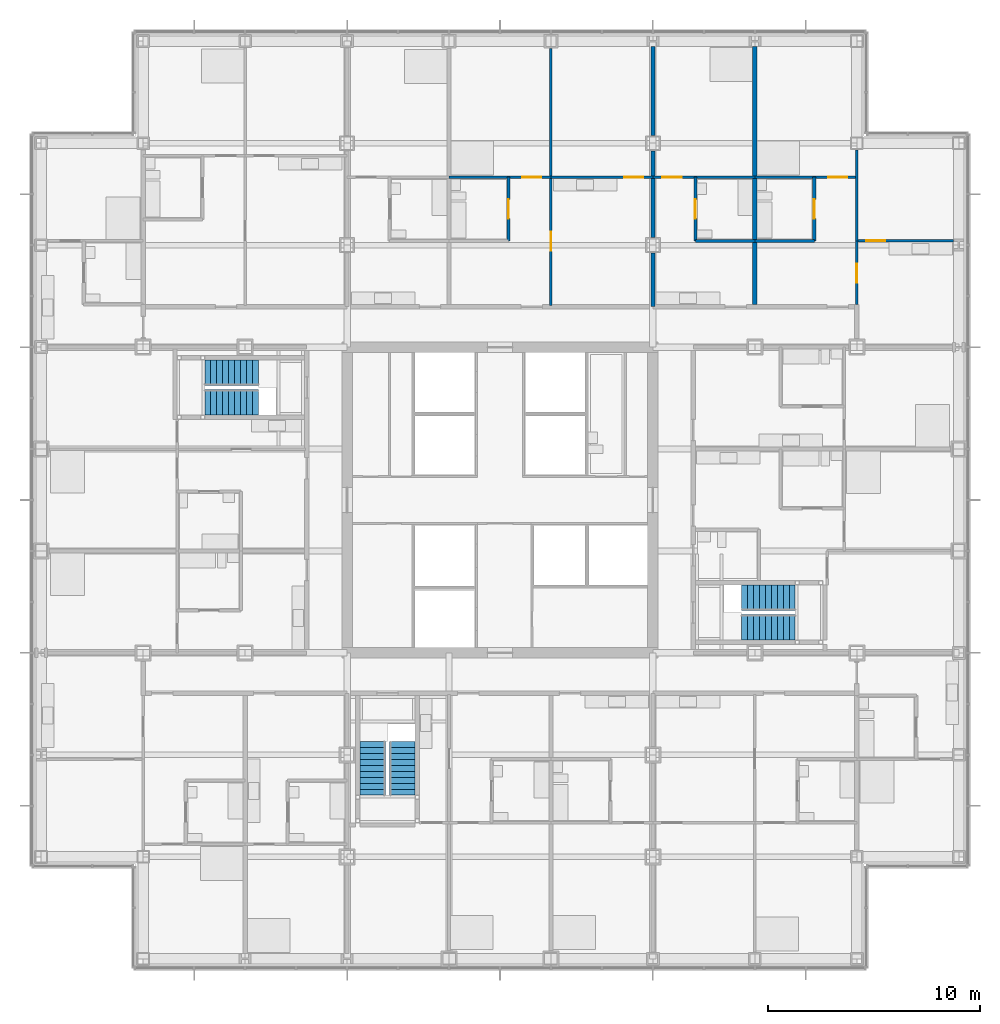
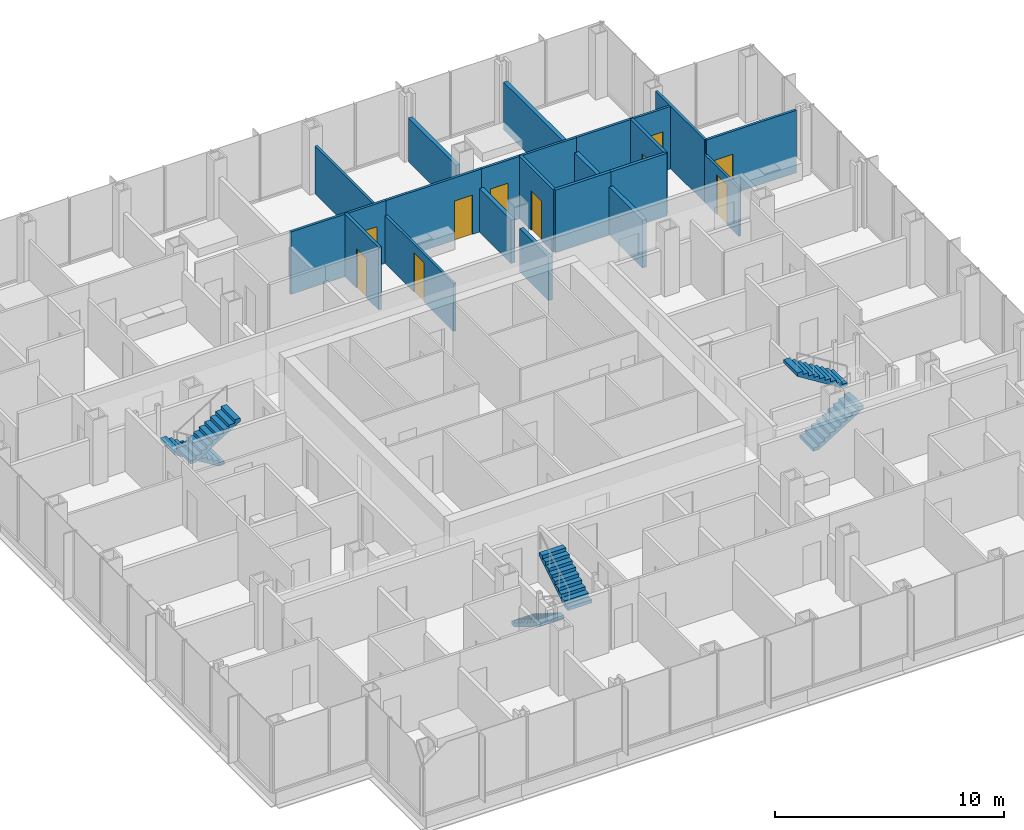
# One storey, part 18 of 21: 18 walls, 10 doors, 6 stair flights, 10 openings, 3 elements without a shape of their own.
"""IFC4 building model written with IfcOpenShell, lengths in metres."""

import ifcopenshell
import ifcopenshell.guid

model = None  # the IFC model being written
_history = None  # IfcOwnerHistory: only IFC2X3 demands one
_inside = {}  # id of a spatial element -> (the spatial element, [elements in it])
_under = {}  # id of a project, library or spatial element -> (it, [spatial elements below it])
_declared = {}  # id of a project -> (the project, [libraries it declares])
_typed = {}  # id of a type object -> (the type object, [elements of that type])
_made_of = {}  # id of a material, layer set ... -> (it, [elements and type objects made of it])


def new_model(schema):
    """Start an empty IFC model of exactly this schema.

    Asked for "IFC4X3", IfcOpenShell would pick the latest addendum, in which some entities
    have other attributes; the version numbers below select the first issue.
    IFC2X3 requires an IfcOwnerHistory on every rooted entity: one is made here for all.
    """
    global model, _history
    if schema == "IFC4X3":
        model = ifcopenshell.file(schema_version=(4, 3, 0, 0))
    else:
        model = ifcopenshell.file(schema=schema)
    _inside.clear()
    _under.clear()
    _declared.clear()
    _typed.clear()
    _made_of.clear()
    _history = None
    if model.schema == "IFC2X3":
        org = make("IfcOrganization", Name="unknown")
        user = make(
            "IfcPersonAndOrganization",
            ThePerson=make("IfcPerson", FamilyName="unknown"),
            TheOrganization=org,
        )
        app = make(
            "IfcApplication",
            ApplicationDeveloper=org,
            Version="unknown",
            ApplicationFullName="unknown",
            ApplicationIdentifier="unknown",
        )
        _history = make(
            "IfcOwnerHistory",
            OwningUser=user,
            OwningApplication=app,
            ChangeAction="ADDED",
            CreationDate=0,
        )
    return model


def make(cls, **values):
    """One entity of the class cls with the attributes given. An attribute that is None is left unset."""
    return model.create_entity(
        cls, **{name: value for name, value in values.items() if value is not None}
    )


def rooted(cls, **values):
    """An entity with a GlobalId (a new one), such as an element, a storey or a relation."""
    return make(cls, GlobalId=ifcopenshell.guid.new(), OwnerHistory=_history, **values)


def si_unit(unit_type, name, prefix=None):
    """IfcSIUnit, for example si_unit("LENGTHUNIT", "METRE", prefix="MILLI")."""
    return make("IfcSIUnit", UnitType=unit_type, Prefix=prefix, Name=name)


def assignment(units):
    """IfcUnitAssignment: the units of a project."""
    return None if units is None else make("IfcUnitAssignment", Units=units)


def point(xyz):
    """IfcCartesianPoint."""
    return None if xyz is None else make("IfcCartesianPoint", Coordinates=xyz)


def direction(xyz):
    """IfcDirection."""
    return None if xyz is None else make("IfcDirection", DirectionRatios=xyz)


def frame(location, z_axis=None, x_axis=None):
    """IfcAxis2Placement3D, a coordinate frame: its origin and axes. An axis left out is left unset."""
    return make(
        "IfcAxis2Placement3D",
        Location=point(location),
        Axis=direction(z_axis),
        RefDirection=direction(x_axis),
    )


def frame_2d(location, x_axis=None):
    """IfcAxis2Placement2D, a coordinate frame in the plane: its origin and x axis."""
    return make(
        "IfcAxis2Placement2D", Location=point(location), RefDirection=direction(x_axis)
    )


def origin():
    """The frame at (0, 0, 0) with its axes left unset."""
    return frame((0.0, 0.0, 0.0))


def place(relative_to, where):
    """IfcLocalPlacement: puts the frame where relative to a parent placement (None: the world)."""
    return make(
        "IfcLocalPlacement", PlacementRelTo=relative_to, RelativePlacement=where
    )


def context(
    kind, dimensions, precision=None, world=None, true_north=None, identifier=None
):
    """IfcGeometricRepresentationContext, for example the 3D "Model" context."""
    return make(
        "IfcGeometricRepresentationContext",
        ContextIdentifier=identifier,
        ContextType=kind,
        CoordinateSpaceDimension=dimensions,
        Precision=precision,
        WorldCoordinateSystem=world,
        TrueNorth=true_north,
    )


def subcontext(parent, identifier, kind, view, scale=None):
    """IfcGeometricRepresentationSubContext, for example "Body" below "Model"."""
    return make(
        "IfcGeometricRepresentationSubContext",
        ContextIdentifier=identifier,
        ContextType=kind,
        ParentContext=parent,
        TargetScale=scale,
        TargetView=view,
    )


def project(units=None, contexts=None):
    """IfcProject with its units and contexts."""
    return rooted(
        "IfcProject",
        Name="project",
        RepresentationContexts=contexts,
        UnitsInContext=assignment(units),
    )


def spatial(cls, under=None, at=None, **own):
    """A site, building, storey or space (cls), placed at a placement, below another one or the project."""
    s = rooted(cls, ObjectPlacement=at, **own)
    if under is not None:
        _under.setdefault(under.id(), (under, []))[1].append(s)
    return s


def polyline(points):
    """IfcPolyline through the points."""
    return make("IfcPolyline", Points=[point(p) for p in points])


def profile(cls, at=None, kind="AREA", **sizes):
    """A parametric profile (cls). Its sizes go by their IFC names, for example OverallWidth=200.0."""
    return make(cls, ProfileType=kind, Position=at, **sizes)


def rectangle(**sizes):
    """IfcRectangleProfileDef."""
    return profile("IfcRectangleProfileDef", **sizes)


def outline(outer, holes=None, kind="AREA"):
    """IfcArbitraryClosedProfileDef: a profile drawn as a closed curve; with holes, ...WithVoids."""
    if holes is None:
        return make("IfcArbitraryClosedProfileDef", ProfileType=kind, OuterCurve=outer)
    return make(
        "IfcArbitraryProfileDefWithVoids",
        ProfileType=kind,
        OuterCurve=outer,
        InnerCurves=holes,
    )


def extrude(swept, where, along, depth):
    """IfcExtrudedAreaSolid: the profile swept, set in the frame where, extruded along a direction by depth."""
    return make(
        "IfcExtrudedAreaSolid",
        SweptArea=swept,
        Position=where,
        ExtrudedDirection=direction(along),
        Depth=depth,
    )


def shape(context_of_items, identifier, shape_type, items):
    """IfcShapeRepresentation: the items that make up one representation, for example the "Body"."""
    return make(
        "IfcShapeRepresentation",
        ContextOfItems=context_of_items,
        RepresentationIdentifier=identifier,
        RepresentationType=shape_type,
        Items=items,
    )


def material(Name=None, Category=None):
    """IfcMaterial."""
    return make("IfcMaterial", Name=Name, Category=Category)


def layer(
    of_material, thickness, ventilated=None, Name=None, Category=None, Priority=None
):
    """IfcMaterialLayer: one layer of a wall or slab, of a material (None: an air gap)."""
    return make(
        "IfcMaterialLayer",
        Material=of_material,
        LayerThickness=thickness,
        IsVentilated=ventilated,
        Name=Name,
        Category=Category,
        Priority=Priority,
    )


def layer_set(layers, Name=None):
    """IfcMaterialLayerSet."""
    return make("IfcMaterialLayerSet", MaterialLayers=layers, LayerSetName=Name)


def made_of(thing, what):
    """Note that an element or type object is made of a material, layer set ...; save() writes the relation."""
    if what is not None:
        _made_of.setdefault(what.id(), (what, []))[1].append(thing)
    return thing


def type_object(cls, material=None, **own):
    """A type object (cls), such as IfcWallType, which elements share."""
    return made_of(rooted(cls, **own), material)


def element(
    cls,
    number,
    at=None,
    inside=None,
    cuts=None,
    type_object=None,
    material=None,
    context=None,
    identifier="Body",
    shape_type=None,
    held_by="IfcProductDefinitionShape",
    body=None,
    shapes=None,
    **own,
):
    """One element of the class cls, such as IfcWall. Its Tag is "e" and its number.

    at: its placement. inside: the storey or other place that contains it. cuts: it is an
    opening in that element (IfcRelVoidsElement). A single representation is given by context,
    identifier, shape_type and body (its items); several are given by shapes. held_by: the class
    of the entity that holds the representations. save() writes the other relations.
    """
    e = rooted(cls, Tag="e%d" % number, ObjectPlacement=at, **own)
    if body is not None:
        shapes = [shape(context, identifier, shape_type, body)]
    if shapes is not None:
        e.Representation = make(held_by, Representations=shapes)
    if inside is not None:
        _inside.setdefault(inside.id(), (inside, []))[1].append(e)
    if cuts is not None:
        rooted(
            "IfcRelVoidsElement", RelatingBuildingElement=cuts, RelatedOpeningElement=e
        )
    if type_object is not None:
        _typed.setdefault(type_object.id(), (type_object, []))[1].append(e)
    return made_of(e, material)


def fill(opening, filler):
    """IfcRelFillsElement: the door or window that sits in an opening."""
    return rooted(
        "IfcRelFillsElement",
        RelatingOpeningElement=opening,
        RelatedBuildingElement=filler,
    )


def aggregate(whole, parts):
    """IfcRelAggregates: a whole, such as a stair, and the parts it consists of."""
    return rooted("IfcRelAggregates", RelatingObject=whole, RelatedObjects=parts)


def save(model, path):
    """Write the relations noted so far, then the file.

    IfcRelAggregates (storeys below a building ...), IfcRelContainedInSpatialStructure (elements
    in a storey), IfcRelDefinesByType, IfcRelAssociatesMaterial and IfcRelDeclares: one each for
    every whole, place, type object, material and project.
    """
    for whole, parts in _under.values():
        aggregate(whole, parts)
    for where, things in _inside.values():
        rooted(
            "IfcRelContainedInSpatialStructure",
            RelatedElements=things,
            RelatingStructure=where,
        )
    for kind, things in _typed.values():
        rooted("IfcRelDefinesByType", RelatedObjects=things, RelatingType=kind)
    for what, things in _made_of.values():
        rooted("IfcRelAssociatesMaterial", RelatedObjects=things, RelatingMaterial=what)
    for by, libraries in _declared.values():
        rooted("IfcRelDeclares", RelatingContext=by, RelatedDefinitions=libraries)
    model.write(path)


model = new_model("IFC4")

# Units and contexts
model_context = context("Model", 3, precision=1e-05, world=origin(), true_north=direction((0.0, 1.0)))
body_context = subcontext(model_context, "Body", "Model", "MODEL_VIEW")
ifc_project = project(units=[si_unit("LENGTHUNIT", "METRE"), si_unit("AREAUNIT", "SQUARE_METRE"), si_unit("VOLUMEUNIT", "CUBIC_METRE"), si_unit("PLANEANGLEUNIT", "RADIAN"), si_unit("MASSUNIT", "GRAM", prefix="KILO")], contexts=[model_context])

# Site, building, storey
site_placement = place(None, origin())
site = spatial("IfcSite", under=ifc_project, at=site_placement, CompositionType="ELEMENT")
building_placement = place(site_placement, origin())
building = spatial("IfcBuilding", under=site, at=building_placement, Name="Kvirike Care Tower", CompositionType="ELEMENT")
storey_placement = place(building_placement, frame((0.0, 0.0, 27.0)))
storey = spatial("IfcBuildingStorey", under=building, at=storey_placement, Name="L06", CompositionType="ELEMENT", Elevation=27.0)

# Wall, opening, door
ifc_material_1 = material(Name="Moisture-resistant board partition", Category="gypsum")
ifc_layer_1 = layer(ifc_material_1, 0.14990234375)
ifc_layer_set_1 = layer_set([ifc_layer_1], Name="BATHROOM WALL 150")
wall_type_1 = type_object("IfcWallType", Name="BATHROOM WALL 150", PredefinedType="PARTITIONING", material=ifc_layer_set_1)
wall_1_placement = place(storey_placement, frame((22.0, 51.199951171875, 0.0), z_axis=(0.0, 0.0, 1.0), x_axis=(0.0, -1.0, 0.0)))
wall_1 = element("IfcWall", 1, at=wall_1_placement, inside=storey, type_object=wall_type_1, Name="Bathroom Wall 150 L06", PredefinedType="PARTITIONING", context=body_context, shape_type="SweptSolid", body=[
    extrude(rectangle(XDim=3.0, YDim=0.14990234375, at=frame_2d((1.5, 0.0))), origin(), (0.0, 0.0, 1.0), 3.330078125),
])
opening_1_placement = place(wall_1_placement, frame((1.050048828125, 0.0, 0.0)))
opening_1 = element("IfcOpeningElement", 2, at=opening_1_placement, cuts=wall_1, Name="Opening 06-035", PredefinedType="OPENING", context=body_context, shape_type="SweptSolid", body=[
    extrude(rectangle(XDim=0.89990234375, YDim=2.10009765625, at=frame_2d((0.449951171875, 1.050048828125))), frame((0.0, 0.08544921875, 0.0), z_axis=(0.0, -1.0, 0.0), x_axis=(1.0, 0.0, 0.0)), (0.0, 0.0, 1.0), 0.1708984375),
])
ifc_material_2 = material(Name="Timber door set", Category="wood")
door_type_1 = type_object("IfcDoorType", Name="BATHROOM DOOR 900", OperationType="SINGLE_SWING_RIGHT", PredefinedType="DOOR", material=ifc_material_2)
door_1_placement = place(opening_1_placement, frame((0.89990234375, 0.0, 0.0), z_axis=(0.0, 0.0, 1.0), x_axis=(-1.0, 0.0, 0.0)))
door_1 = element("IfcDoor", 3, at=door_1_placement, inside=storey, type_object=door_type_1, Name="Bathroom door", OperationType="SINGLE_SWING_RIGHT", OverallHeight=2.10009765625, OverallWidth=0.89990234375, PredefinedType="DOOR", context=body_context, shape_type="SweptSolid", body=[
    extrude(rectangle(XDim=0.89990234375, YDim=2.10009765625, at=frame_2d((0.449951171875, 1.050048828125))), frame((0.0, 0.02197265625, 0.0), z_axis=(0.0, -1.0, 0.0), x_axis=(1.0, 0.0, 0.0)), (0.0, 0.0, 1.0), 0.0439453125),
])
fill(opening_1, door_1)

wall_2_placement = place(storey_placement, frame((36.39990234375, 51.199951171875, 0.0), z_axis=(0.0, 0.0, 1.0), x_axis=(0.0, -1.0, 0.0)))
wall_2 = element("IfcWall", 4, at=wall_2_placement, inside=storey, type_object=wall_type_1, Name="Bathroom Wall 150 L06", PredefinedType="PARTITIONING", context=body_context, shape_type="SweptSolid", body=[
    extrude(rectangle(XDim=3.0, YDim=0.14990234375, at=frame_2d((1.5, 0.0))), origin(), (0.0, 0.0, 1.0), 3.330078125),
])
opening_2_placement = place(wall_2_placement, frame((1.050048828125, 0.0, 0.0)))
opening_2 = element("IfcOpeningElement", 5, at=opening_2_placement, cuts=wall_2, Name="Opening 06-060", PredefinedType="OPENING", context=body_context, shape_type="SweptSolid", body=[
    extrude(rectangle(XDim=0.89990234375, YDim=2.10009765625, at=frame_2d((0.449951171875, 1.050048828125))), frame((0.0, 0.08544921875, 0.0), z_axis=(0.0, -1.0, 0.0), x_axis=(1.0, 0.0, 0.0)), (0.0, 0.0, 1.0), 0.1708984375),
])
door_2_placement = place(opening_2_placement, frame((0.89990234375, 0.0, 0.0), z_axis=(0.0, 0.0, 1.0), x_axis=(-1.0, 0.0, 0.0)))
door_2 = element("IfcDoor", 6, at=door_2_placement, inside=storey, type_object=door_type_1, Name="Bathroom door", OperationType="SINGLE_SWING_RIGHT", OverallHeight=2.10009765625, OverallWidth=0.89990234375, PredefinedType="DOOR", context=body_context, shape_type="SweptSolid", body=[
    extrude(rectangle(XDim=0.89990234375, YDim=2.10009765625, at=frame_2d((0.449951171875, 1.050048828125))), frame((0.0, 0.02197265625, 0.0), z_axis=(0.0, -1.0, 0.0), x_axis=(1.0, 0.0, 0.0)), (0.0, 0.0, 1.0), 0.0439453125),
])
fill(opening_2, door_2)

# Wall
wall_3_placement = place(storey_placement, frame((36.39990234375, 48.199951171875, 0.0), z_axis=(0.0, 0.0, 1.0), x_axis=(-1.0, 0.0, 0.0)))
element("IfcWall", 7, at=wall_3_placement, inside=storey, type_object=wall_type_1, Name="Bathroom Wall 150 L06", PredefinedType="PARTITIONING", context=body_context, shape_type="SweptSolid", body=[
    extrude(rectangle(XDim=2.7998046875, YDim=0.14990234375, at=frame_2d((1.39990234375, 0.0))), origin(), (0.0, 0.0, 1.0), 3.330078125),
])

# Wall, opening, door
wall_4_placement = place(storey_placement, frame((30.800048828125, 51.199951171875, 0.0), z_axis=(0.0, 0.0, 1.0), x_axis=(0.0, -1.0, 0.0)))
wall_4 = element("IfcWall", 8, at=wall_4_placement, inside=storey, type_object=wall_type_1, Name="Bathroom Wall 150 L06", PredefinedType="PARTITIONING", context=body_context, shape_type="SweptSolid", body=[
    extrude(rectangle(XDim=3.0, YDim=0.14990234375, at=frame_2d((1.5, 0.0))), origin(), (0.0, 0.0, 1.0), 3.330078125),
])
opening_3_placement = place(wall_4_placement, frame((1.050048828125, 0.0, 0.0)))
opening_3 = element("IfcOpeningElement", 9, at=opening_3_placement, cuts=wall_4, Name="Opening 06-064", PredefinedType="OPENING", context=body_context, shape_type="SweptSolid", body=[
    extrude(rectangle(XDim=0.89990234375, YDim=2.10009765625, at=frame_2d((0.449951171875, 1.050048828125))), frame((0.0, 0.08544921875, 0.0), z_axis=(0.0, -1.0, 0.0), x_axis=(1.0, 0.0, 0.0)), (0.0, 0.0, 1.0), 0.1708984375),
])
door_3_placement = place(opening_3_placement, origin())
door_3 = element("IfcDoor", 10, at=door_3_placement, inside=storey, type_object=door_type_1, Name="Bathroom door", OperationType="SINGLE_SWING_LEFT", OverallHeight=2.10009765625, OverallWidth=0.89990234375, PredefinedType="DOOR", context=body_context, shape_type="SweptSolid", body=[
    extrude(rectangle(XDim=0.89990234375, YDim=2.10009765625, at=frame_2d((0.449951171875, 1.050048828125))), frame((0.0, 0.02197265625, 0.0), z_axis=(0.0, -1.0, 0.0), x_axis=(1.0, 0.0, 0.0)), (0.0, 0.0, 1.0), 0.0439453125),
])
fill(opening_3, door_3)

# Wall
wall_5_placement = place(storey_placement, frame((33.60009765625, 48.199951171875, 0.0), z_axis=(0.0, 0.0, 1.0), x_axis=(-1.0, 0.0, 0.0)))
element("IfcWall", 11, at=wall_5_placement, inside=storey, type_object=wall_type_1, Name="Bathroom Wall 150 L06", PredefinedType="PARTITIONING", context=body_context, shape_type="SweptSolid", body=[
    extrude(rectangle(XDim=2.800048828125, YDim=0.14990234375, at=frame_2d((1.39990234375, 0.0))), origin(), (0.0, 0.0, 1.0), 3.330078125),
])

# Wall, opening, door
ifc_material_3 = material(Name="Plasterboard partition", Category="gypsum")
ifc_layer_2 = layer(ifc_material_3, 0.1201171875)
ifc_layer_set_2 = layer_set([ifc_layer_2], Name="PARTITION 120")
wall_type_2 = type_object("IfcWallType", Name="PARTITION 120", PredefinedType="PARTITIONING", material=ifc_layer_set_2)
wall_6_placement = place(storey_placement, frame((24.0, 51.199951171875, 0.0), z_axis=(0.0, 0.0, 1.0), x_axis=(0.0, -1.0, 0.0)))
wall_6 = element("IfcWall", 12, at=wall_6_placement, inside=storey, type_object=wall_type_2, Name="Partition 120 L06", PredefinedType="PARTITIONING", context=body_context, shape_type="SweptSolid", body=[
    extrude(rectangle(XDim=6.050048828125, YDim=0.1201171875, at=frame_2d((3.02490234375, 0.0))), origin(), (0.0, 0.0, 1.0), 2.550048828125),
])
opening_4_placement = place(wall_6_placement, frame((2.574951171875, 0.0, 0.0)))
opening_4 = element("IfcOpeningElement", 13, at=opening_4_placement, cuts=wall_6, Name="Opening 06-036", PredefinedType="OPENING", context=body_context, shape_type="SweptSolid", body=[
    extrude(rectangle(XDim=0.89990234375, YDim=2.10009765625, at=frame_2d((0.449951171875, 1.050048828125))), frame((0.0, 0.070556640625, 0.0), z_axis=(0.0, -1.0, 0.0), x_axis=(1.0, 0.0, 0.0)), (0.0, 0.0, 1.0), 0.14111328125),
])
ifc_material_4 = material(Name="Timber door set", Category="wood")
door_type_2 = type_object("IfcDoorType", Name="INTERNAL DOOR 900", OperationType="SINGLE_SWING_LEFT", PredefinedType="DOOR", material=ifc_material_4)
door_4_placement = place(opening_4_placement, frame((0.89990234375, 0.0, 0.0), z_axis=(0.0, 0.0, 1.0), x_axis=(-1.0, 0.0, 0.0)))
door_4 = element("IfcDoor", 14, at=door_4_placement, inside=storey, type_object=door_type_2, Name="Hall door", OperationType="SINGLE_SWING_LEFT", OverallHeight=2.10009765625, OverallWidth=0.89990234375, PredefinedType="DOOR", context=body_context, shape_type="SweptSolid", body=[
    extrude(rectangle(XDim=0.89990234375, YDim=2.10009765625, at=frame_2d((0.449951171875, 1.050048828125))), frame((0.0, 0.02197265625, 0.0), z_axis=(0.0, -1.0, 0.0), x_axis=(1.0, 0.0, 0.0)), (0.0, 0.0, 1.0), 0.0439453125),
])
fill(opening_4, door_4)

wall_7_placement = place(storey_placement, frame((28.800048828125, 51.199951171875, 0.0), z_axis=(0.0, 0.0, 1.0), x_axis=(-1.0, 0.0, 0.0)))
wall_7 = element("IfcWall", 15, at=wall_7_placement, inside=storey, type_object=wall_type_2, Name="Partition 120 L06", PredefinedType="PARTITIONING", context=body_context, shape_type="SweptSolid", body=[
    extrude(rectangle(XDim=4.800048828125, YDim=0.1201171875, at=frame_2d((2.39990234375, 0.0))), origin(), (0.0, 0.0, 1.0), 3.330078125),
])
opening_5_placement = place(wall_7_placement, frame((0.449951171875, 0.0, 0.0)))
opening_5 = element("IfcOpeningElement", 16, at=opening_5_placement, cuts=wall_7, Name="Opening 06-037", PredefinedType="OPENING", context=body_context, shape_type="SweptSolid", body=[
    extrude(rectangle(XDim=0.89990234375, YDim=2.10009765625, at=frame_2d((0.449951171875, 1.050048828125))), frame((0.0, 0.070556640625, 0.0), z_axis=(0.0, -1.0, 0.0), x_axis=(1.0, 0.0, 0.0)), (0.0, 0.0, 1.0), 0.14111328125),
])
door_5_placement = place(opening_5_placement, origin())
door_5 = element("IfcDoor", 17, at=door_5_placement, inside=storey, type_object=door_type_2, Name="Apartment living room door", OperationType="SINGLE_SWING_RIGHT", OverallHeight=2.10009765625, OverallWidth=0.89990234375, PredefinedType="DOOR", context=body_context, shape_type="SweptSolid", body=[
    extrude(rectangle(XDim=0.89990234375, YDim=2.10009765625, at=frame_2d((0.449951171875, 1.050048828125))), frame((0.0, 0.02197265625, 0.0), z_axis=(0.0, -1.0, 0.0), x_axis=(1.0, 0.0, 0.0)), (0.0, 0.0, 1.0), 0.0439453125),
])
fill(opening_5, door_5)

wall_8_placement = place(storey_placement, frame((24.0, 51.199951171875, 0.0), z_axis=(0.0, 0.0, 1.0), x_axis=(-1.0, 0.0, 0.0)))
wall_8 = element("IfcWall", 18, at=wall_8_placement, inside=storey, type_object=wall_type_2, Name="Partition 120 L06", PredefinedType="PARTITIONING", context=body_context, shape_type="SweptSolid", body=[
    extrude(rectangle(XDim=4.800048828125, YDim=0.1201171875, at=frame_2d((2.39990234375, 0.0))), origin(), (0.0, 0.0, 1.0), 3.330078125),
])
opening_6_placement = place(wall_8_placement, frame((0.449951171875, 0.0, 0.0)))
opening_6 = element("IfcOpeningElement", 19, at=opening_6_placement, cuts=wall_8, Name="Opening 06-038", PredefinedType="OPENING", context=body_context, shape_type="SweptSolid", body=[
    extrude(rectangle(XDim=0.89990234375, YDim=2.10009765625, at=frame_2d((0.449951171875, 1.050048828125))), frame((0.0, 0.070556640625, 0.0), z_axis=(0.0, -1.0, 0.0), x_axis=(1.0, 0.0, 0.0)), (0.0, 0.0, 1.0), 0.14111328125),
])
door_6_placement = place(opening_6_placement, origin())
door_6 = element("IfcDoor", 20, at=door_6_placement, inside=storey, type_object=door_type_2, Name="Apartment bedroom door", OperationType="SINGLE_SWING_RIGHT", OverallHeight=2.10009765625, OverallWidth=0.89990234375, PredefinedType="DOOR", context=body_context, shape_type="SweptSolid", body=[
    extrude(rectangle(XDim=0.89990234375, YDim=2.10009765625, at=frame_2d((0.449951171875, 1.050048828125))), frame((0.0, 0.02197265625, 0.0), z_axis=(0.0, -1.0, 0.0), x_axis=(1.0, 0.0, 0.0)), (0.0, 0.0, 1.0), 0.0439453125),
])
fill(opening_6, door_6)

# Wall
wall_9_placement = place(storey_placement, frame((24.0, 57.2548828125, 0.0), z_axis=(0.0, 0.0, 1.0), x_axis=(0.0, -1.0, 0.0)))
element("IfcWall", 21, at=wall_9_placement, inside=storey, type_object=wall_type_2, Name="Partition 120 L06", PredefinedType="PARTITIONING", context=body_context, shape_type="SweptSolid", body=[
    extrude(rectangle(XDim=6.054931640625, YDim=0.1201171875, at=frame_2d((3.02734375, 0.0))), origin(), (0.0, 0.0, 1.0), 2.550048828125),
])

# Wall, opening, door
wall_10_placement = place(storey_placement, frame((38.39990234375, 48.199951171875, 0.0), z_axis=(0.0, 0.0, 1.0), x_axis=(0.0, -1.0, 0.0)))
wall_10 = element("IfcWall", 22, at=wall_10_placement, inside=storey, type_object=wall_type_2, Name="Partition 120 L06", PredefinedType="PARTITIONING", context=body_context, shape_type="SweptSolid", body=[
    extrude(rectangle(XDim=3.0, YDim=0.1201171875, at=frame_2d((1.5, 0.0))), origin(), (0.0, 0.0, 1.0), 2.550048828125),
])
opening_7_placement = place(wall_10_placement, frame((1.074951171875, 0.0, 0.0)))
opening_7 = element("IfcOpeningElement", 23, at=opening_7_placement, cuts=wall_10, Name="Opening 06-061", PredefinedType="OPENING", context=body_context, shape_type="SweptSolid", body=[
    extrude(rectangle(XDim=0.89990234375, YDim=2.10009765625, at=frame_2d((0.449951171875, 1.050048828125))), frame((0.0, 0.070556640625, 0.0), z_axis=(0.0, -1.0, 0.0), x_axis=(1.0, 0.0, 0.0)), (0.0, 0.0, 1.0), 0.14111328125),
])
door_7_placement = place(opening_7_placement, frame((0.89990234375, 0.0, 0.0), z_axis=(0.0, 0.0, 1.0), x_axis=(-1.0, 0.0, 0.0)))
door_7 = element("IfcDoor", 24, at=door_7_placement, inside=storey, type_object=door_type_2, Name="Hall door", OperationType="SINGLE_SWING_RIGHT", OverallHeight=2.10009765625, OverallWidth=0.89990234375, PredefinedType="DOOR", context=body_context, shape_type="SweptSolid", body=[
    extrude(rectangle(XDim=0.89990234375, YDim=2.10009765625, at=frame_2d((0.449951171875, 1.050048828125))), frame((0.0, 0.02197265625, 0.0), z_axis=(0.0, -1.0, 0.0), x_axis=(1.0, 0.0, 0.0)), (0.0, 0.0, 1.0), 0.0439453125),
])
fill(opening_7, door_7)

wall_11_placement = place(storey_placement, frame((42.952880859375, 48.199951171875, 0.0), z_axis=(0.0, 0.0, 1.0), x_axis=(-1.0, 0.0, 0.0)))
wall_11 = element("IfcWall", 25, at=wall_11_placement, inside=storey, type_object=wall_type_2, Name="Partition 120 L06", PredefinedType="PARTITIONING", context=body_context, shape_type="SweptSolid", body=[
    extrude(rectangle(XDim=4.552978515625, YDim=0.1201171875, at=frame_2d((2.2763671875, 0.0))), origin(), (0.0, 0.0, 1.0), 3.330078125),
])
opening_8_placement = place(wall_11_placement, frame((3.202880859375, 0.0, 0.0)))
opening_8 = element("IfcOpeningElement", 26, at=opening_8_placement, cuts=wall_11, Name="Opening 06-062", PredefinedType="OPENING", context=body_context, shape_type="SweptSolid", body=[
    extrude(rectangle(XDim=0.89990234375, YDim=2.10009765625, at=frame_2d((0.449951171875, 1.050048828125))), frame((0.0, 0.070556640625, 0.0), z_axis=(0.0, -1.0, 0.0), x_axis=(1.0, 0.0, 0.0)), (0.0, 0.0, 1.0), 0.14111328125),
])
door_8_placement = place(opening_8_placement, frame((0.89990234375, 0.0, 0.0), z_axis=(0.0, 0.0, 1.0), x_axis=(-1.0, 0.0, 0.0)))
door_8 = element("IfcDoor", 27, at=door_8_placement, inside=storey, type_object=door_type_2, Name="Apartment living room door", OperationType="SINGLE_SWING_RIGHT", OverallHeight=2.10009765625, OverallWidth=0.89990234375, PredefinedType="DOOR", context=body_context, shape_type="SweptSolid", body=[
    extrude(rectangle(XDim=0.89990234375, YDim=2.10009765625, at=frame_2d((0.449951171875, 1.050048828125))), frame((0.0, 0.02197265625, 0.0), z_axis=(0.0, -1.0, 0.0), x_axis=(1.0, 0.0, 0.0)), (0.0, 0.0, 1.0), 0.0439453125),
])
fill(opening_8, door_8)

wall_12_placement = place(storey_placement, frame((38.39990234375, 51.199951171875, 0.0), z_axis=(0.0, 0.0, 1.0), x_axis=(-1.0, 0.0, 0.0)))
wall_12 = element("IfcWall", 28, at=wall_12_placement, inside=storey, type_object=wall_type_2, Name="Partition 120 L06", PredefinedType="PARTITIONING", context=body_context, shape_type="SweptSolid", body=[
    extrude(rectangle(XDim=4.7998046875, YDim=0.1201171875, at=frame_2d((2.39990234375, 0.0))), origin(), (0.0, 0.0, 1.0), 3.330078125),
])
opening_9_placement = place(wall_12_placement, frame((0.449951171875, 0.0, 0.0)))
opening_9 = element("IfcOpeningElement", 29, at=opening_9_placement, cuts=wall_12, Name="Opening 06-063", PredefinedType="OPENING", context=body_context, shape_type="SweptSolid", body=[
    extrude(rectangle(XDim=0.89990234375, YDim=2.10009765625, at=frame_2d((0.449951171875, 1.050048828125))), frame((0.0, 0.070556640625, 0.0), z_axis=(0.0, -1.0, 0.0), x_axis=(1.0, 0.0, 0.0)), (0.0, 0.0, 1.0), 0.14111328125),
])
door_9_placement = place(opening_9_placement, origin())
door_9 = element("IfcDoor", 30, at=door_9_placement, inside=storey, type_object=door_type_2, Name="Apartment bedroom door", OperationType="SINGLE_SWING_RIGHT", OverallHeight=2.10009765625, OverallWidth=0.89990234375, PredefinedType="DOOR", context=body_context, shape_type="SweptSolid", body=[
    extrude(rectangle(XDim=0.89990234375, YDim=2.10009765625, at=frame_2d((0.449951171875, 1.050048828125))), frame((0.0, 0.02197265625, 0.0), z_axis=(0.0, -1.0, 0.0), x_axis=(1.0, 0.0, 0.0)), (0.0, 0.0, 1.0), 0.0439453125),
])
fill(opening_9, door_9)

# Wall
wall_13_placement = place(storey_placement, frame((38.39990234375, 52.47998046875, 0.0), z_axis=(0.0, 0.0, 1.0), x_axis=(0.0, -1.0, 0.0)))
element("IfcWall", 31, at=wall_13_placement, inside=storey, type_object=wall_type_2, Name="Partition 120 L06", PredefinedType="PARTITIONING", context=body_context, shape_type="SweptSolid", body=[
    extrude(rectangle(XDim=4.280029296875, YDim=0.1201171875, at=frame_2d((2.14013671875, 0.0))), origin(), (0.0, 0.0, 1.0), 3.330078125),
])

# Wall, opening, door
wall_14_placement = place(storey_placement, frame((33.60009765625, 51.199951171875, 0.0), z_axis=(0.0, 0.0, 1.0), x_axis=(-1.0, 0.0, 0.0)))
wall_14 = element("IfcWall", 32, at=wall_14_placement, inside=storey, type_object=wall_type_2, Name="Partition 120 L06", PredefinedType="PARTITIONING", context=body_context, shape_type="SweptSolid", body=[
    extrude(rectangle(XDim=4.800048828125, YDim=0.1201171875, at=frame_2d((2.39990234375, 0.0))), origin(), (0.0, 0.0, 1.0), 3.330078125),
])
opening_10_placement = place(wall_14_placement, frame((3.449951171875, 0.0, 0.0)))
opening_10 = element("IfcOpeningElement", 33, at=opening_10_placement, cuts=wall_14, Name="Opening 06-065", PredefinedType="OPENING", context=body_context, shape_type="SweptSolid", body=[
    extrude(rectangle(XDim=0.89990234375, YDim=2.10009765625, at=frame_2d((0.449951171875, 1.050048828125))), frame((0.0, 0.070556640625, 0.0), z_axis=(0.0, -1.0, 0.0), x_axis=(1.0, 0.0, 0.0)), (0.0, 0.0, 1.0), 0.14111328125),
])
door_10_placement = place(opening_10_placement, origin())
door_10 = element("IfcDoor", 34, at=door_10_placement, inside=storey, type_object=door_type_2, Name="Studio apartment living room door", OperationType="SINGLE_SWING_LEFT", OverallHeight=2.10009765625, OverallWidth=0.89990234375, PredefinedType="DOOR", context=body_context, shape_type="SweptSolid", body=[
    extrude(rectangle(XDim=0.89990234375, YDim=2.10009765625, at=frame_2d((0.449951171875, 1.050048828125))), frame((0.0, 0.02197265625, 0.0), z_axis=(0.0, -1.0, 0.0), x_axis=(1.0, 0.0, 0.0)), (0.0, 0.0, 1.0), 0.0439453125),
])
fill(opening_10, door_10)

# Walls
ifc_material_5 = material(Name="Plasterboard party wall", Category="gypsum")
ifc_layer_3 = layer(ifc_material_5, 0.199951171875)
ifc_layer_set_3 = layer_set([ifc_layer_3], Name="PARTY WALL 200")
wall_type_3 = type_object("IfcWallType", Name="PARTY WALL 200", PredefinedType="PARTITIONING", material=ifc_layer_set_3)
wall_15_placement = place(storey_placement, frame((33.60009765625, 57.35302734375, 0.0), z_axis=(0.0, 0.0, 1.0), x_axis=(0.0, -1.0, 0.0)))
element("IfcWall", 35, at=wall_15_placement, inside=storey, type_object=wall_type_3, Name="Party Wall 200 L06", PredefinedType="PARTITIONING", context=body_context, shape_type="SweptSolid", body=[
    extrude(rectangle(XDim=12.153076171875, YDim=0.199951171875, at=frame_2d((6.07666015625, 0.0))), origin(), (0.0, 0.0, 1.0), 2.550048828125),
])
wall_16_placement = place(storey_placement, frame((28.800048828125, 45.10009765625, 0.0), z_axis=(0.0, 0.0, 1.0), x_axis=(0.0, 1.0, 0.0)))
element("IfcWall", 36, at=wall_16_placement, inside=storey, type_object=wall_type_3, Name="Party Wall 200 L06", PredefinedType="PARTITIONING", context=body_context, shape_type="SweptSolid", body=[
    extrude(rectangle(XDim=2.52978515625, YDim=0.199951171875, at=frame_2d((1.264892578125, 0.0))), origin(), (0.0, 0.0, 1.0), 2.320068359375),
])
wall_17_placement = place(storey_placement, frame((28.800048828125, 48.3701171875, 0.0), z_axis=(0.0, 0.0, 1.0), x_axis=(0.0, 1.0, 0.0)))
element("IfcWall", 37, at=wall_17_placement, inside=storey, type_object=wall_type_3, Name="Party Wall 200 L06", PredefinedType="PARTITIONING", context=body_context, shape_type="SweptSolid", body=[
    extrude(rectangle(XDim=4.059814453125, YDim=0.199951171875, at=frame_2d((2.02978515625, 0.0))), origin(), (0.0, 0.0, 1.0), 2.320068359375),
])
wall_18_placement = place(storey_placement, frame((28.800048828125, 53.169921875, 0.0), z_axis=(0.0, 0.0, 1.0), x_axis=(0.0, 1.0, 0.0)))
element("IfcWall", 38, at=wall_18_placement, inside=storey, type_object=wall_type_3, Name="Party Wall 200 L06", PredefinedType="PARTITIONING", context=body_context, shape_type="SweptSolid", body=[
    extrude(rectangle(XDim=4.18310546875, YDim=0.199951171875, at=frame_2d((2.091552734375, 0.0))), origin(), (0.0, 0.0, 1.0), 2.320068359375),
])

# Stair, stair flights
ifc_material_6 = material(Name="Concrete C35/45", Category="concrete")
stair_type = type_object("IfcStairType", Name="STAIR 20 RISERS", PredefinedType="HALF_TURN_STAIR", material=ifc_material_6)
stair_1_placement = place(storey_placement, origin())
stair_1 = element("IfcStair", 39, at=stair_1_placement, inside=storey, type_object=stair_type, Name="Stair 1 L06", PredefinedType="HALF_TURN_STAIR")
ifc_material_7 = material(Name="Concrete C35/45", Category="concrete")
stair_flight_type = type_object("IfcStairFlightType", Name="FLIGHT 10 RISERS", PredefinedType="STRAIGHT", material=ifc_material_7)
stair_flight_1_placement = place(storey_placement, frame((10.219970703125, 42.0, 0.0), z_axis=(0.0, 0.0, 1.0), x_axis=(-1.0, 0.0, 0.0)))
stair_flight_1 = element("IfcStairFlight", 40, at=stair_flight_1_placement, type_object=stair_flight_type, Name="Stair S1 flight 1 L06-L07", NumberOfRisers=10, NumberOfTreads=9, PredefinedType="STRAIGHT", RiserHeight=0.175, TreadLength=0.28, context=body_context, shape_type="SweptSolid", body=[
    extrude(outline(polyline([(0.0, 0.0), (0.0, 0.175048828125), (0.280029296875, 0.175048828125), (0.280029296875, 0.35009765625), (0.56005859375, 0.35009765625), (0.56005859375, 0.52490234375), (0.840087890625, 0.52490234375), (0.840087890625, 0.699951171875), (1.1201171875, 0.699951171875), (1.1201171875, 0.875), (1.39990234375, 0.875), (1.39990234375, 1.050048828125), (1.679931640625, 1.050048828125), (1.679931640625, 1.22509765625), (1.9599609375, 1.22509765625), (1.9599609375, 1.39990234375), (2.239990234375, 1.39990234375), (2.239990234375, 1.574951171875), (2.52001953125, 1.574951171875), (2.52001953125, 1.75), (2.52001953125, 1.398193359375), (0.28271484375, 0.0), (0.0, 0.0)])), frame((0.0, 0.60009765625, 0.0), z_axis=(0.0, -1.0, 0.0), x_axis=(1.0, 0.0, 0.0)), (0.0, 0.0, 1.0), 1.199951171875),
])
stair_flight_2_placement = place(storey_placement, frame((7.699951171875, 40.60009765625, 1.75), z_axis=(0.0, 0.0, 1.0), x_axis=(1.0, 0.0, 0.0)))
stair_flight_2 = element("IfcStairFlight", 41, at=stair_flight_2_placement, type_object=stair_flight_type, Name="Stair S1 flight 2 L06-L07", NumberOfRisers=10, NumberOfTreads=9, PredefinedType="STRAIGHT", RiserHeight=0.175, TreadLength=0.28, context=body_context, shape_type="SweptSolid", body=[
    extrude(outline(polyline([(0.0, 0.0), (0.0, 0.175048828125), (0.280029296875, 0.175048828125), (0.280029296875, 0.35009765625), (0.56005859375, 0.35009765625), (0.56005859375, 0.52490234375), (0.840087890625, 0.52490234375), (0.840087890625, 0.699951171875), (1.1201171875, 0.699951171875), (1.1201171875, 0.875), (1.39990234375, 0.875), (1.39990234375, 1.050048828125), (1.679931640625, 1.050048828125), (1.679931640625, 1.22509765625), (1.9599609375, 1.22509765625), (1.9599609375, 1.39990234375), (2.239990234375, 1.39990234375), (2.239990234375, 1.574951171875), (2.52001953125, 1.574951171875), (2.52001953125, 1.75), (2.52001953125, 1.398193359375), (0.28271484375, 0.0), (0.0, 0.0)])), frame((0.0, 0.60009765625, 0.0), z_axis=(0.0, -1.0, 0.0), x_axis=(1.0, 0.0, 0.0)), (0.0, 0.0, 1.0), 1.199951171875),
])
aggregate(stair_1, [stair_flight_1, stair_flight_2])

stair_2_placement = place(storey_placement, origin())
stair_2 = element("IfcStair", 42, at=stair_2_placement, inside=storey, type_object=stair_type, Name="Stair 2 L06", PredefinedType="HALF_TURN_STAIR")
stair_flight_3_placement = place(storey_placement, frame((32.97998046875, 30.0, 0.0), z_axis=(0.0, 0.0, 1.0), x_axis=(1.0, 0.0, 0.0)))
stair_flight_3 = element("IfcStairFlight", 43, at=stair_flight_3_placement, type_object=stair_flight_type, Name="Stair S2 flight 1 L06-L07", NumberOfRisers=10, NumberOfTreads=9, PredefinedType="STRAIGHT", RiserHeight=0.175, TreadLength=0.28, context=body_context, shape_type="SweptSolid", body=[
    extrude(outline(polyline([(0.0, 0.0), (0.0, 0.175048828125), (0.280029296875, 0.175048828125), (0.280029296875, 0.35009765625), (0.56005859375, 0.35009765625), (0.56005859375, 0.52490234375), (0.840087890625, 0.52490234375), (0.840087890625, 0.699951171875), (1.1201171875, 0.699951171875), (1.1201171875, 0.875), (1.39990234375, 0.875), (1.39990234375, 1.050048828125), (1.679931640625, 1.050048828125), (1.679931640625, 1.22509765625), (1.9599609375, 1.22509765625), (1.9599609375, 1.39990234375), (2.239990234375, 1.39990234375), (2.239990234375, 1.574951171875), (2.52001953125, 1.574951171875), (2.52001953125, 1.75), (2.52001953125, 1.398193359375), (0.28271484375, 0.0), (0.0, 0.0)])), frame((0.0, 0.60009765625, 0.0), z_axis=(0.0, -1.0, 0.0), x_axis=(1.0, 0.0, 0.0)), (0.0, 0.0, 1.0), 1.199951171875),
])
stair_flight_4_placement = place(storey_placement, frame((35.5, 31.39990234375, 1.75), z_axis=(0.0, 0.0, 1.0), x_axis=(-1.0, 0.0, 0.0)))
stair_flight_4 = element("IfcStairFlight", 44, at=stair_flight_4_placement, type_object=stair_flight_type, Name="Stair S2 flight 2 L06-L07", NumberOfRisers=10, NumberOfTreads=9, PredefinedType="STRAIGHT", RiserHeight=0.175, TreadLength=0.28, context=body_context, shape_type="SweptSolid", body=[
    extrude(outline(polyline([(0.0, 0.0), (0.0, 0.175048828125), (0.280029296875, 0.175048828125), (0.280029296875, 0.35009765625), (0.56005859375, 0.35009765625), (0.56005859375, 0.52490234375), (0.840087890625, 0.52490234375), (0.840087890625, 0.699951171875), (1.1201171875, 0.699951171875), (1.1201171875, 0.875), (1.39990234375, 0.875), (1.39990234375, 1.050048828125), (1.679931640625, 1.050048828125), (1.679931640625, 1.22509765625), (1.9599609375, 1.22509765625), (1.9599609375, 1.39990234375), (2.239990234375, 1.39990234375), (2.239990234375, 1.574951171875), (2.52001953125, 1.574951171875), (2.52001953125, 1.75), (2.52001953125, 1.398193359375), (0.28271484375, 0.0), (0.0, 0.0)])), frame((0.0, 0.60009765625, 0.0), z_axis=(0.0, -1.0, 0.0), x_axis=(1.0, 0.0, 0.0)), (0.0, 0.0, 1.0), 1.199951171875),
])
aggregate(stair_2, [stair_flight_3, stair_flight_4])

stair_3_placement = place(storey_placement, origin())
stair_3 = element("IfcStair", 45, at=stair_3_placement, inside=storey, type_object=stair_type, Name="Stair 5 L06", PredefinedType="HALF_TURN_STAIR")
stair_flight_5_placement = place(storey_placement, frame((15.60009765625, 24.6201171875, 0.0), z_axis=(0.0, 0.0, 1.0), x_axis=(0.0, -1.0, 0.0)))
stair_flight_5 = element("IfcStairFlight", 46, at=stair_flight_5_placement, type_object=stair_flight_type, Name="Stair S5 flight 1 L06-L07", NumberOfRisers=10, NumberOfTreads=9, PredefinedType="STRAIGHT", RiserHeight=0.175, TreadLength=0.28, context=body_context, shape_type="SweptSolid", body=[
    extrude(outline(polyline([(0.0, 0.0), (0.0, 0.175048828125), (0.280029296875, 0.175048828125), (0.280029296875, 0.35009765625), (0.56005859375, 0.35009765625), (0.56005859375, 0.52490234375), (0.840087890625, 0.52490234375), (0.840087890625, 0.699951171875), (1.1201171875, 0.699951171875), (1.1201171875, 0.875), (1.39990234375, 0.875), (1.39990234375, 1.050048828125), (1.679931640625, 1.050048828125), (1.679931640625, 1.22509765625), (1.9599609375, 1.22509765625), (1.9599609375, 1.39990234375), (2.239990234375, 1.39990234375), (2.239990234375, 1.574951171875), (2.52001953125, 1.574951171875), (2.52001953125, 1.75), (2.52001953125, 1.398193359375), (0.28271484375, 0.0), (0.0, 0.0)])), frame((0.0, 0.60009765625, 0.0), z_axis=(0.0, -1.0, 0.0), x_axis=(1.0, 0.0, 0.0)), (0.0, 0.0, 1.0), 1.199951171875),
])
stair_flight_6_placement = place(storey_placement, frame((17.0, 22.10009765625, 1.75), z_axis=(0.0, 0.0, 1.0), x_axis=(0.0, 1.0, 0.0)))
stair_flight_6 = element("IfcStairFlight", 47, at=stair_flight_6_placement, type_object=stair_flight_type, Name="Stair S5 flight 2 L06-L07", NumberOfRisers=10, NumberOfTreads=9, PredefinedType="STRAIGHT", RiserHeight=0.175, TreadLength=0.28, context=body_context, shape_type="SweptSolid", body=[
    extrude(outline(polyline([(0.0, 0.0), (0.0, 0.175048828125), (0.280029296875, 0.175048828125), (0.280029296875, 0.35009765625), (0.56005859375, 0.35009765625), (0.56005859375, 0.52490234375), (0.840087890625, 0.52490234375), (0.840087890625, 0.699951171875), (1.1201171875, 0.699951171875), (1.1201171875, 0.875), (1.39990234375, 0.875), (1.39990234375, 1.050048828125), (1.679931640625, 1.050048828125), (1.679931640625, 1.22509765625), (1.9599609375, 1.22509765625), (1.9599609375, 1.39990234375), (2.239990234375, 1.39990234375), (2.239990234375, 1.574951171875), (2.52001953125, 1.574951171875), (2.52001953125, 1.75), (2.52001953125, 1.398193359375), (0.28271484375, 0.0), (0.0, 0.0)])), frame((0.0, 0.60009765625, 0.0), z_axis=(0.0, -1.0, 0.0), x_axis=(1.0, 0.0, 0.0)), (0.0, 0.0, 1.0), 1.199951171875),
])
aggregate(stair_3, [stair_flight_5, stair_flight_6])

save(model, "model.ifc")
